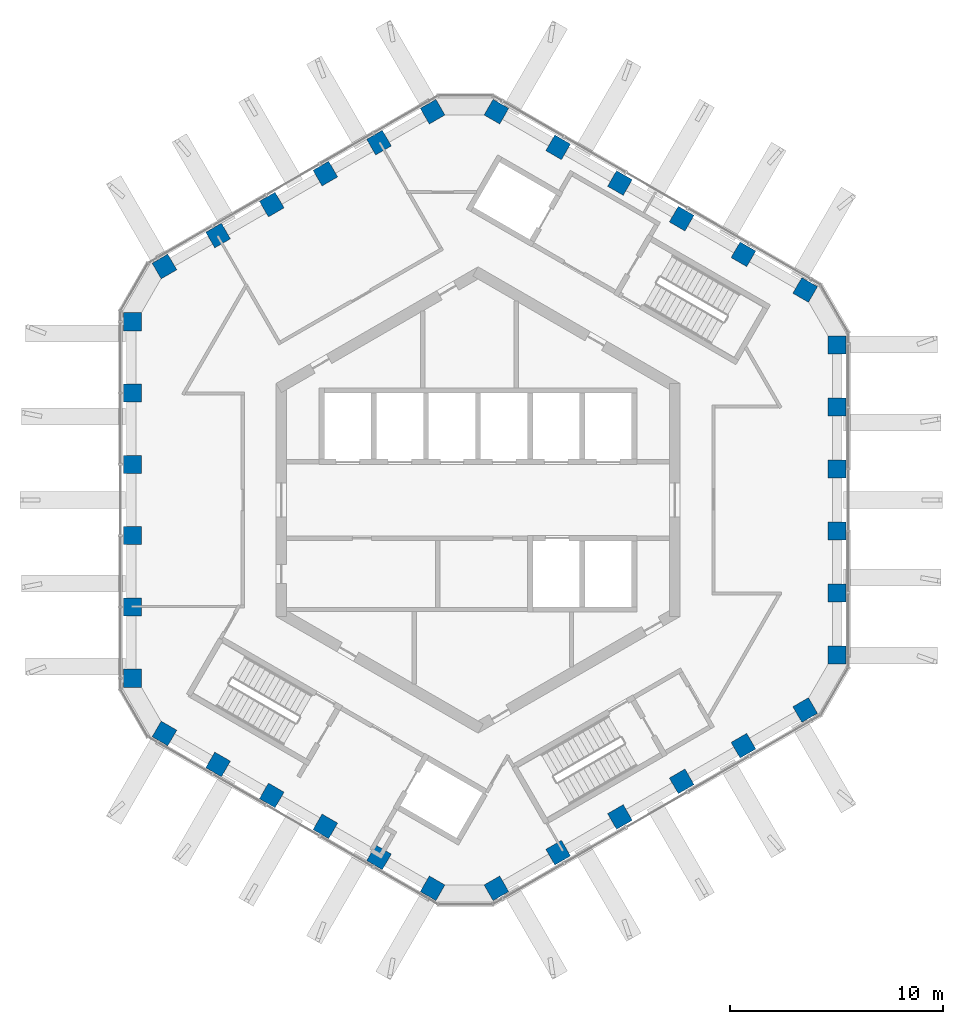
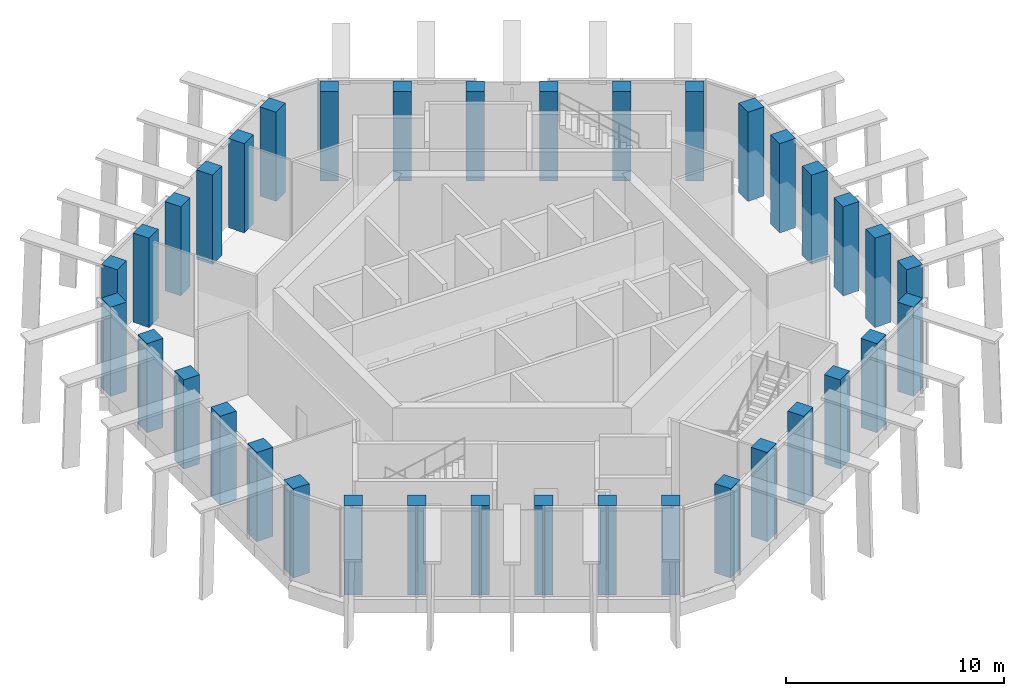
# One storey, part 1 of 17: 36 columns.
"""IFC4 building model written with IfcOpenShell, lengths in metres."""

from ifc_helpers import new_model, si_unit, direction, frame, origin, origin_2d, place, context, subcontext, project, spatial, rectangle, extrude, material, material_profile, profile_set, type_object, element, save


model = new_model("IFC4")

# Units and contexts
model_context = context("Model", 3, precision=1e-05, world=origin(), true_north=direction((0.0, 1.0)))
body_context = subcontext(model_context, "Body", "Model", "MODEL_VIEW")
ifc_project = project(units=[si_unit("LENGTHUNIT", "METRE"), si_unit("AREAUNIT", "SQUARE_METRE"), si_unit("VOLUMEUNIT", "CUBIC_METRE"), si_unit("PLANEANGLEUNIT", "RADIAN"), si_unit("MASSUNIT", "GRAM", prefix="KILO")], contexts=[model_context])

# Site, building, storey
site_placement = place(None, origin())
site = spatial("IfcSite", under=ifc_project, at=site_placement, CompositionType="ELEMENT")
building_placement = place(site_placement, origin())
building = spatial("IfcBuilding", under=site, at=building_placement, Name="Ayvan Gate Tower", CompositionType="ELEMENT")
storey_placement = place(building_placement, frame((0.0, 0.0, 252.89990234375)))
storey = spatial("IfcBuildingStorey", under=building, at=storey_placement, Name="L68", CompositionType="ELEMENT", Elevation=252.89990234375)

# Columns
ifc_material = material(Name="Concrete C50/60", Category="concrete")
ifc_material_profile = material_profile(ifc_material, rectangle(XDim=0.85009765625, YDim=0.85009765625, at=origin_2d()), Name="RC 850x850")
ifc_profile_set = profile_set([ifc_material_profile], Name="Concrete C50/60")
column_type = type_object("IfcColumnType", Name="Tube column RC 850x850 C50/60", PredefinedType="COLUMN", material=ifc_profile_set)
for number, where, z_axis, x_axis, name in (
    (1, (16.887451171875, -7.2822265625, 0.0), (0.0, 0.0, 1.0), (1.0, 0.0, 0.0), "C-T0-0-L68"),
    (2, (16.887451171875, -4.369384765625, 0.0), (0.0, 0.0, 1.0), (1.0, 0.0, 0.0), "C-T0-1-L68"),
    (3, (16.887451171875, -1.45654296875, 0.0), (0.0, 0.0, 1.0), (1.0, 0.0, 0.0), "C-T0-2-L68"),
    (4, (16.887451171875, 1.45654296875, 0.0), (0.0, 0.0, 1.0), (1.0, 0.0, 0.0), "C-T0-3-L68"),
    (5, (16.887451171875, 4.369384765625, 0.0), (0.0, 0.0, 1.0), (1.0, 0.0, 0.0), "C-T0-4-L68"),
    (6, (16.887451171875, 7.2822265625, 0.0), (0.0, 0.0, 1.0), (1.0, 0.0, 0.0), "C-T0-5-L68"),
    (7, (15.387451171875, 9.88037109375, 0.0), (0.0, 0.0, 1.0), (0.5, 0.866025403784, 0.0), "C-T1-0-L68"),
    (8, (12.482666015625, 11.5576171875, 0.0), (0.0, 0.0, 1.0), (0.5, 0.866025403784, 0.0), "C-T1-1-L68"),
    (9, (9.57763671875, 13.234619140625, 0.0), (0.0, 0.0, 1.0), (0.5, 0.866025403784, 0.0), "C-T1-2-L68"),
    (10, (6.6728515625, 14.911865234375, 0.0), (0.0, 0.0, 1.0), (0.5, 0.866025403784, 0.0), "C-T1-3-L68"),
    (11, (3.767822265625, 16.5888671875, 0.0), (0.0, 0.0, 1.0), (0.5, 0.866025403784, 0.0), "C-T1-4-L68"),
    (12, (0.86279296875, 18.26611328125, 0.0), (0.0, 0.0, 1.0), (0.5, 0.866025403784, 0.0), "C-T1-5-L68"),
    (13, (-2.13720703125, 18.26611328125, 0.0), (0.0, 0.0, 1.0), (-0.5, 0.866025403784, 0.0), "C-T2-0-L68"),
    (14, (-4.65966796875, 16.8095703125, 0.0), (0.0, 0.0, 1.0), (-0.5, 0.866025403784, 0.0), "C-T2-1-L68"),
    (15, (-7.182373046875, 15.353271484375, 0.0), (0.0, 0.0, 1.0), (-0.5, 0.866025403784, 0.0), "C-T2-2-L68"),
    (16, (-9.705078125, 13.896728515625, 0.0), (0.0, 0.0, 1.0), (-0.5, 0.866025403784, 0.0), "C-T2-3-L68"),
    (17, (-12.227783203125, 12.4404296875, 0.0), (0.0, 0.0, 1.0), (-0.5, 0.866025403784, 0.0), "C-T2-4-L68"),
    (18, (-14.75048828125, 10.98388671875, 0.0), (0.0, 0.0, 1.0), (-0.5, 0.866025403784, 0.0), "C-T2-5-L68"),
    (19, (-16.25048828125, 8.3857421875, 0.0), (0.0, 0.0, 1.0), (-1.0, 0.0, 0.0), "C-T3-0-L68"),
    (20, (-16.25048828125, 5.031494140625, 0.0), (0.0, 0.0, 1.0), (-1.0, 0.0, 0.0), "C-T3-1-L68"),
    (21, (-16.25048828125, 1.67724609375, 0.0), (0.0, 0.0, 1.0), (-1.0, 0.0, 0.0), "C-T3-2-L68"),
    (22, (-16.25048828125, -1.67724609375, 0.0), (0.0, 0.0, 1.0), (-1.0, 0.0, 0.0), "C-T3-3-L68"),
    (23, (-16.25048828125, -5.031494140625, 0.0), (0.0, 0.0, 1.0), (-1.0, 0.0, 0.0), "C-T3-4-L68"),
    (24, (-16.25048828125, -8.3857421875, 0.0), (0.0, 0.0, 1.0), (-1.0, 0.0, 0.0), "C-T3-5-L68"),
    (25, (-14.75048828125, -10.98388671875, 0.0), (0.0, 0.0, 1.0), (-0.5, -0.866025403784, 0.0), "C-T4-0-L68"),
    (26, (-12.227783203125, -12.4404296875, 0.0), (0.0, 0.0, 1.0), (-0.5, -0.866025403784, 0.0), "C-T4-1-L68"),
    (27, (-9.705078125, -13.896728515625, 0.0), (0.0, 0.0, 1.0), (-0.5, -0.866025403784, 0.0), "C-T4-2-L68"),
    (28, (-7.182373046875, -15.353271484375, 0.0), (0.0, 0.0, 1.0), (-0.5, -0.866025403784, 0.0), "C-T4-3-L68"),
    (29, (-4.65966796875, -16.8095703125, 0.0), (0.0, 0.0, 1.0), (-0.5, -0.866025403784, 0.0), "C-T4-4-L68"),
    (30, (-2.13720703125, -18.26611328125, 0.0), (0.0, 0.0, 1.0), (-0.5, -0.866025403784, 0.0), "C-T4-5-L68"),
    (31, (0.86279296875, -18.26611328125, 0.0), (0.0, 0.0, 1.0), (0.5, -0.866025403784, 0.0), "C-T5-0-L68"),
    (32, (3.767822265625, -16.5888671875, 0.0), (0.0, 0.0, 1.0), (0.5, -0.866025403784, 0.0), "C-T5-1-L68"),
    (33, (6.6728515625, -14.911865234375, 0.0), (0.0, 0.0, 1.0), (0.5, -0.866025403784, 0.0), "C-T5-2-L68"),
    (34, (9.57763671875, -13.234619140625, 0.0), (0.0, 0.0, 1.0), (0.5, -0.866025403784, 0.0), "C-T5-3-L68"),
    (35, (12.482666015625, -11.5576171875, 0.0), (0.0, 0.0, 1.0), (0.5, -0.866025403784, 0.0), "C-T5-4-L68"),
    (36, (15.387451171875, -9.88037109375, 0.0), (0.0, 0.0, 1.0), (0.5, -0.866025403784, 0.0), "C-T5-5-L68"),
):
    element("IfcColumn", number, at=place(storey_placement, frame(where, z_axis=z_axis, x_axis=x_axis)), inside=storey, type_object=column_type, Name=name, PredefinedType="COLUMN", context=body_context, shape_type="SweptSolid", body=[
        extrude(rectangle(XDim=0.85009765625, YDim=0.85009765625, at=origin_2d()), origin(), (0.0, 0.0, 1.0), 5.0),
    ])

save(model, "model.ifc")
